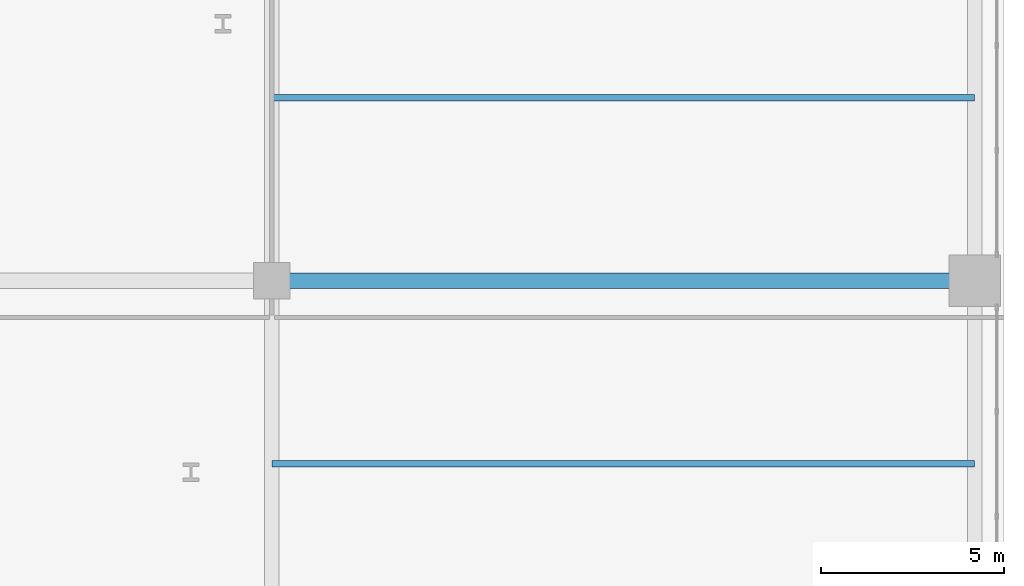
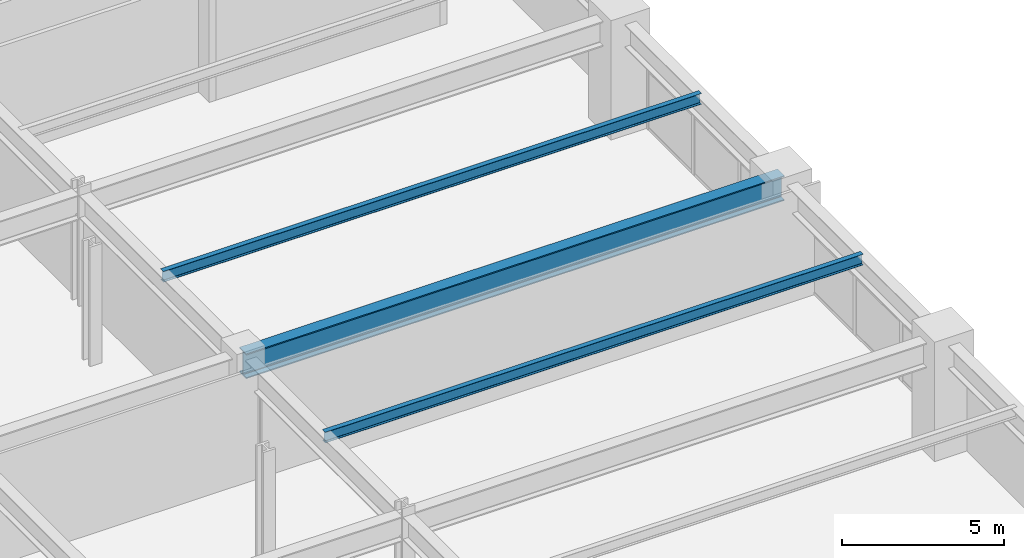
# One storey, part 14 of 28: 3 beams.
"""IFC4 building model written with IfcOpenShell, lengths in metres."""

import ifcopenshell
import ifcopenshell.guid

model = None  # the IFC model being written
_history = None  # IfcOwnerHistory: only IFC2X3 demands one
_inside = {}  # id of a spatial element -> (the spatial element, [elements in it])
_under = {}  # id of a project, library or spatial element -> (it, [spatial elements below it])
_declared = {}  # id of a project -> (the project, [libraries it declares])
_typed = {}  # id of a type object -> (the type object, [elements of that type])
_made_of = {}  # id of a material, layer set ... -> (it, [elements and type objects made of it])


def new_model(schema):
    """Start an empty IFC model of exactly this schema.

    Asked for "IFC4X3", IfcOpenShell would pick the latest addendum, in which some entities
    have other attributes; the version numbers below select the first issue.
    IFC2X3 requires an IfcOwnerHistory on every rooted entity: one is made here for all.
    """
    global model, _history
    if schema == "IFC4X3":
        model = ifcopenshell.file(schema_version=(4, 3, 0, 0))
    else:
        model = ifcopenshell.file(schema=schema)
    _inside.clear()
    _under.clear()
    _declared.clear()
    _typed.clear()
    _made_of.clear()
    _history = None
    if model.schema == "IFC2X3":
        org = make("IfcOrganization", Name="unknown")
        user = make(
            "IfcPersonAndOrganization",
            ThePerson=make("IfcPerson", FamilyName="unknown"),
            TheOrganization=org,
        )
        app = make(
            "IfcApplication",
            ApplicationDeveloper=org,
            Version="unknown",
            ApplicationFullName="unknown",
            ApplicationIdentifier="unknown",
        )
        _history = make(
            "IfcOwnerHistory",
            OwningUser=user,
            OwningApplication=app,
            ChangeAction="ADDED",
            CreationDate=0,
        )
    return model


def make(cls, **values):
    """One entity of the class cls with the attributes given. An attribute that is None is left unset."""
    return model.create_entity(
        cls, **{name: value for name, value in values.items() if value is not None}
    )


def rooted(cls, **values):
    """An entity with a GlobalId (a new one), such as an element, a storey or a relation."""
    return make(cls, GlobalId=ifcopenshell.guid.new(), OwnerHistory=_history, **values)


def si_unit(unit_type, name, prefix=None):
    """IfcSIUnit, for example si_unit("LENGTHUNIT", "METRE", prefix="MILLI")."""
    return make("IfcSIUnit", UnitType=unit_type, Prefix=prefix, Name=name)


def assignment(units):
    """IfcUnitAssignment: the units of a project."""
    return None if units is None else make("IfcUnitAssignment", Units=units)


def point(xyz):
    """IfcCartesianPoint."""
    return None if xyz is None else make("IfcCartesianPoint", Coordinates=xyz)


def direction(xyz):
    """IfcDirection."""
    return None if xyz is None else make("IfcDirection", DirectionRatios=xyz)


def frame(location, z_axis=None, x_axis=None):
    """IfcAxis2Placement3D, a coordinate frame: its origin and axes. An axis left out is left unset."""
    return make(
        "IfcAxis2Placement3D",
        Location=point(location),
        Axis=direction(z_axis),
        RefDirection=direction(x_axis),
    )


def frame_2d(location, x_axis=None):
    """IfcAxis2Placement2D, a coordinate frame in the plane: its origin and x axis."""
    return make(
        "IfcAxis2Placement2D", Location=point(location), RefDirection=direction(x_axis)
    )


def origin():
    """The frame at (0, 0, 0) with its axes left unset."""
    return frame((0.0, 0.0, 0.0))


def origin_2d():
    """The frame at (0, 0) in the plane with its x axis left unset."""
    return frame_2d((0.0, 0.0))


def place(relative_to, where):
    """IfcLocalPlacement: puts the frame where relative to a parent placement (None: the world)."""
    return make(
        "IfcLocalPlacement", PlacementRelTo=relative_to, RelativePlacement=where
    )


def context(
    kind, dimensions, precision=None, world=None, true_north=None, identifier=None
):
    """IfcGeometricRepresentationContext, for example the 3D "Model" context."""
    return make(
        "IfcGeometricRepresentationContext",
        ContextIdentifier=identifier,
        ContextType=kind,
        CoordinateSpaceDimension=dimensions,
        Precision=precision,
        WorldCoordinateSystem=world,
        TrueNorth=true_north,
    )


def subcontext(parent, identifier, kind, view, scale=None):
    """IfcGeometricRepresentationSubContext, for example "Body" below "Model"."""
    return make(
        "IfcGeometricRepresentationSubContext",
        ContextIdentifier=identifier,
        ContextType=kind,
        ParentContext=parent,
        TargetScale=scale,
        TargetView=view,
    )


def project(units=None, contexts=None):
    """IfcProject with its units and contexts."""
    return rooted(
        "IfcProject",
        Name="project",
        RepresentationContexts=contexts,
        UnitsInContext=assignment(units),
    )


def spatial(cls, under=None, at=None, **own):
    """A site, building, storey or space (cls), placed at a placement, below another one or the project."""
    s = rooted(cls, ObjectPlacement=at, **own)
    if under is not None:
        _under.setdefault(under.id(), (under, []))[1].append(s)
    return s


def profile(cls, at=None, kind="AREA", **sizes):
    """A parametric profile (cls). Its sizes go by their IFC names, for example OverallWidth=200.0."""
    return make(cls, ProfileType=kind, Position=at, **sizes)


def i_section(**sizes):
    """IfcIShapeProfileDef."""
    return profile("IfcIShapeProfileDef", **sizes)


def extrude(swept, where, along, depth):
    """IfcExtrudedAreaSolid: the profile swept, set in the frame where, extruded along a direction by depth."""
    return make(
        "IfcExtrudedAreaSolid",
        SweptArea=swept,
        Position=where,
        ExtrudedDirection=direction(along),
        Depth=depth,
    )


def shape(context_of_items, identifier, shape_type, items):
    """IfcShapeRepresentation: the items that make up one representation, for example the "Body"."""
    return make(
        "IfcShapeRepresentation",
        ContextOfItems=context_of_items,
        RepresentationIdentifier=identifier,
        RepresentationType=shape_type,
        Items=items,
    )


def material(Name=None, Category=None):
    """IfcMaterial."""
    return make("IfcMaterial", Name=Name, Category=Category)


def material_profile(
    of_material, cross_section, Name=None, Category=None, Priority=None
):
    """IfcMaterialProfile: a cross section and its material."""
    return make(
        "IfcMaterialProfile",
        Name=Name,
        Material=of_material,
        Profile=cross_section,
        Priority=Priority,
        Category=Category,
    )


def profile_set(profiles, Name=None, composite=None):
    """IfcMaterialProfileSet."""
    return make(
        "IfcMaterialProfileSet",
        Name=Name,
        MaterialProfiles=profiles,
        CompositeProfile=composite,
    )


def made_of(thing, what):
    """Note that an element or type object is made of a material, layer set ...; save() writes the relation."""
    if what is not None:
        _made_of.setdefault(what.id(), (what, []))[1].append(thing)
    return thing


def type_object(cls, material=None, **own):
    """A type object (cls), such as IfcWallType, which elements share."""
    return made_of(rooted(cls, **own), material)


def element(
    cls,
    number,
    at=None,
    inside=None,
    cuts=None,
    type_object=None,
    material=None,
    context=None,
    identifier="Body",
    shape_type=None,
    held_by="IfcProductDefinitionShape",
    body=None,
    shapes=None,
    **own,
):
    """One element of the class cls, such as IfcWall. Its Tag is "e" and its number.

    at: its placement. inside: the storey or other place that contains it. cuts: it is an
    opening in that element (IfcRelVoidsElement). A single representation is given by context,
    identifier, shape_type and body (its items); several are given by shapes. held_by: the class
    of the entity that holds the representations. save() writes the other relations.
    """
    e = rooted(cls, Tag="e%d" % number, ObjectPlacement=at, **own)
    if body is not None:
        shapes = [shape(context, identifier, shape_type, body)]
    if shapes is not None:
        e.Representation = make(held_by, Representations=shapes)
    if inside is not None:
        _inside.setdefault(inside.id(), (inside, []))[1].append(e)
    if cuts is not None:
        rooted(
            "IfcRelVoidsElement", RelatingBuildingElement=cuts, RelatedOpeningElement=e
        )
    if type_object is not None:
        _typed.setdefault(type_object.id(), (type_object, []))[1].append(e)
    return made_of(e, material)


def aggregate(whole, parts):
    """IfcRelAggregates: a whole, such as a stair, and the parts it consists of."""
    return rooted("IfcRelAggregates", RelatingObject=whole, RelatedObjects=parts)


def save(model, path):
    """Write the relations noted so far, then the file.

    IfcRelAggregates (storeys below a building ...), IfcRelContainedInSpatialStructure (elements
    in a storey), IfcRelDefinesByType, IfcRelAssociatesMaterial and IfcRelDeclares: one each for
    every whole, place, type object, material and project.
    """
    for whole, parts in _under.values():
        aggregate(whole, parts)
    for where, things in _inside.values():
        rooted(
            "IfcRelContainedInSpatialStructure",
            RelatedElements=things,
            RelatingStructure=where,
        )
    for kind, things in _typed.values():
        rooted("IfcRelDefinesByType", RelatedObjects=things, RelatingType=kind)
    for what, things in _made_of.values():
        rooted("IfcRelAssociatesMaterial", RelatedObjects=things, RelatingMaterial=what)
    for by, libraries in _declared.values():
        rooted("IfcRelDeclares", RelatingContext=by, RelatedDefinitions=libraries)
    model.write(path)


model = new_model("IFC4")

# Units and contexts
model_context = context("Model", 3, precision=1e-05, world=origin(), true_north=direction((0.0, 1.0)))
body_context = subcontext(model_context, "Body", "Model", "MODEL_VIEW")
ifc_project = project(units=[si_unit("LENGTHUNIT", "METRE"), si_unit("AREAUNIT", "SQUARE_METRE"), si_unit("VOLUMEUNIT", "CUBIC_METRE"), si_unit("PLANEANGLEUNIT", "RADIAN"), si_unit("MASSUNIT", "GRAM", prefix="KILO")], contexts=[model_context])

# Site, building, storey
site_placement = place(None, origin())
site = spatial("IfcSite", under=ifc_project, at=site_placement, CompositionType="ELEMENT")
building_placement = place(site_placement, origin())
building = spatial("IfcBuilding", under=site, at=building_placement, Name="Soratama Intermodal Tower", CompositionType="ELEMENT")
storey_placement = place(building_placement, frame((0.0, 0.0, 20.699951171875)))
storey = spatial("IfcBuildingStorey", under=building, at=storey_placement, Name="L04", CompositionType="ELEMENT", Elevation=20.699951171875)

# Beams
ifc_material_1 = material(Name="Structural steel ASTM A992 Grade 50", Category="steel")
ifc_material_profile_1 = material_profile(ifc_material_1, i_section(OverallWidth=0.177978515625, OverallDepth=0.406982421875, WebThickness=0.0078125, FlangeThickness=0.0126953125, FilletRadius=0.010009765625, at=origin_2d()), Name="W16X40")
ifc_profile_set_1 = profile_set([ifc_material_profile_1], Name="Structural steel ASTM A992 Grade 50")
beam_type_1 = type_object("IfcBeamType", Name="BM-JST-W16X40", PredefinedType="JOIST", material=ifc_profile_set_1)
for number, where, z_axis, x_axis, name in (
    (1, (64.0, 20.0, 3.9765625), (1.0, 0.0, 0.0), (0.0, 1.0, 0.0), "JST-L04-E2"),
    (2, (64.0, 30.0, 3.9765625), (1.0, 0.0, 0.0), (0.0, 1.0, 0.0), "JST-L04-E3"),
):
    element("IfcBeam", number, at=place(storey_placement, frame(where, z_axis=z_axis, x_axis=x_axis)), inside=storey, type_object=beam_type_1, Name=name, PredefinedType="JOIST", context=body_context, shape_type="SweptSolid", body=[
        extrude(i_section(OverallWidth=0.177978515625, OverallDepth=0.406982421875, WebThickness=0.0078125, FlangeThickness=0.0126953125, FilletRadius=0.010009765625, at=origin_2d()), origin(), (0.0, 0.0, 1.0), 19.199951171875),
    ])
ifc_material_2 = material(Name="Structural steel ASTM A992 Grade 50", Category="steel")
ifc_material_profile_2 = material_profile(ifc_material_2, i_section(OverallWidth=0.423095703125, OverallDepth=0.93896484375, WebThickness=0.02392578125, FlangeThickness=0.042724609375, FilletRadius=0.02392578125, at=origin_2d()), Name="W36X302")
ifc_profile_set_2 = profile_set([ifc_material_profile_2], Name="Structural steel ASTM A992 Grade 50")
beam_type_2 = type_object("IfcBeamType", Name="BM-POD-W36X302", PredefinedType="BEAM", material=ifc_profile_set_2)
beam_placement = place(storey_placement, frame((64.0, 25.0, 3.71044921875), z_axis=(1.0, 0.0, 0.0), x_axis=(0.0, 1.0, 0.0)))
element("IfcBeam", 3, at=beam_placement, inside=storey, type_object=beam_type_2, Name="L04 Station Girder X3-3", PredefinedType="BEAM", context=body_context, shape_type="SweptSolid", body=[
    extrude(i_section(OverallWidth=0.423095703125, OverallDepth=0.93896484375, WebThickness=0.02392578125, FlangeThickness=0.042724609375, FilletRadius=0.02392578125, at=origin_2d()), origin(), (0.0, 0.0, 1.0), 19.199951171875),
])

save(model, "model.ifc")
